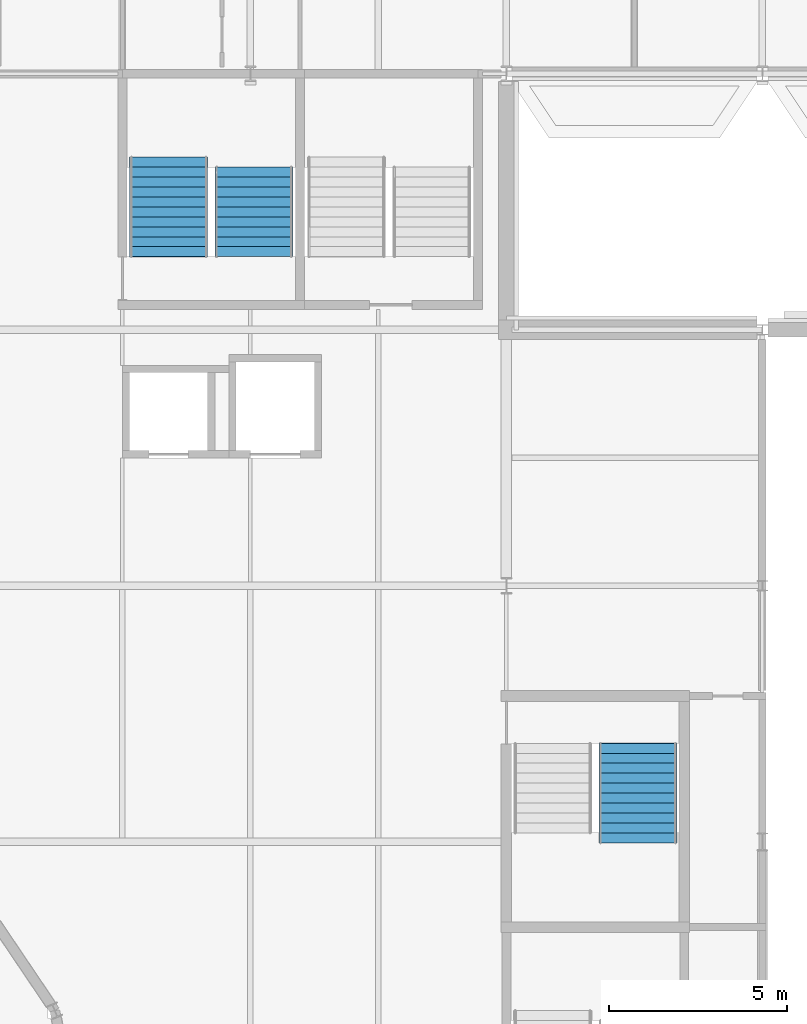
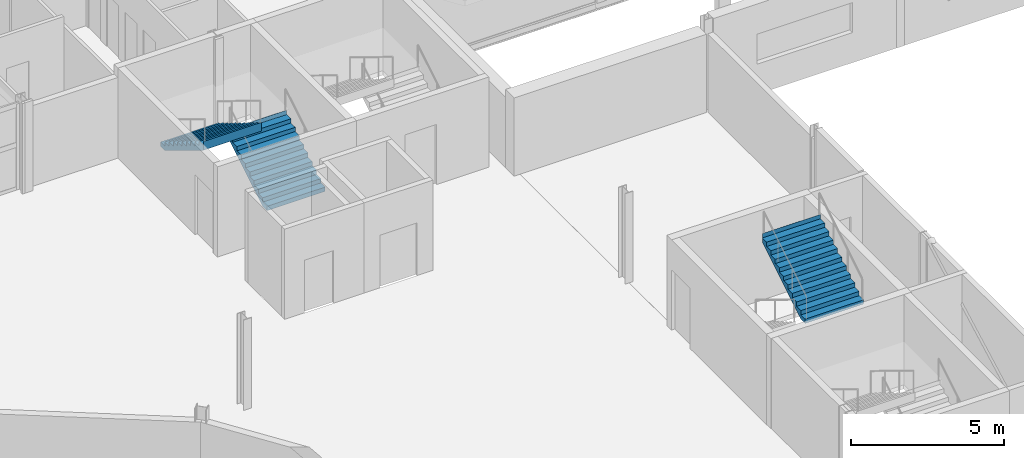
# One storey, part 97 of 143: 3 stair flights, 2 elements without a shape of their own.
"""IFC4 building model written with IfcOpenShell, lengths in metres."""

from ifc_helpers import new_model, si_unit, direction, frame, origin, place, context, subcontext, project, spatial, polyline, outline, extrude, material, type_object, element, aggregate, save


model = new_model("IFC4")

# Units and contexts
model_context = context("Model", 3, precision=1e-05, world=origin(), true_north=direction((0.0, 1.0)))
body_context = subcontext(model_context, "Body", "Model", "MODEL_VIEW")
ifc_project = project(units=[si_unit("LENGTHUNIT", "METRE"), si_unit("AREAUNIT", "SQUARE_METRE"), si_unit("VOLUMEUNIT", "CUBIC_METRE"), si_unit("PLANEANGLEUNIT", "RADIAN"), si_unit("MASSUNIT", "GRAM", prefix="KILO")], contexts=[model_context])

# Site, building, storey
site_placement = place(None, origin())
site = spatial("IfcSite", under=ifc_project, at=site_placement, CompositionType="ELEMENT")
building_placement = place(site_placement, origin())
building = spatial("IfcBuilding", under=site, at=building_placement, Name="Kupolbacken Congress Centre", CompositionType="ELEMENT")
storey_placement = place(building_placement, frame((0.0, 0.0, 7.199951171875)))
storey = spatial("IfcBuildingStorey", under=building, at=storey_placement, Name="L02", CompositionType="ELEMENT", Elevation=7.199951171875)

# Stair, stair flights
ifc_material_1 = material(Name="Concrete C30/37", Category="concrete")
stair_type = type_object("IfcStairType", Name="ST13 stair 2200", PredefinedType="TWO_STRAIGHT_RUN_STAIR", material=ifc_material_1)
stair_1_placement = place(storey_placement, origin())
stair_1 = element("IfcStair", 1, at=stair_1_placement, inside=storey, type_object=stair_type, Name="C/stair/PS1NE/L02", PredefinedType="NOTDEFINED")
ifc_material_2 = material(Name="Concrete C30/37", Category="concrete")
stair_flight_type_1 = type_object("IfcStairFlightType", Name="FL13 stair flight 2200 x 10 risers", PredefinedType="STRAIGHT", material=ifc_material_2)
stair_flight_1_placement = place(storey_placement, frame((72.10009765625, 117.2548828125, 0.0), z_axis=(0.0, 0.0, 1.0), x_axis=(0.0, 1.0, 0.0)))
stair_flight_1 = element("IfcStairFlight", 2, at=stair_flight_1_placement, type_object=stair_flight_type_1, Name="PS1NE flight 1", NumberOfRisers=10, NumberOfTreads=9, PredefinedType="STRAIGHT", RiserHeight=0.171428571, TreadLength=0.28, context=body_context, shape_type="SweptSolid", body=[
    extrude(outline(polyline([(0.0, 0.0), (0.0, 0.0009765625), (0.0, 0.002197265625), (0.0, 0.003173828125), (0.0, 0.004150390625), (0.0, 0.00537109375), (0.0, 0.00634765625), (0.0, 0.007568359375), (0.0, 0.008544921875), (0.0, 0.009521484375), (0.0, 0.0107421875), (0.0, 0.01171875), (0.0, 0.0126953125), (0.0, 0.013916015625), (0.0, 0.014892578125), (0.0, 0.015869140625), (0.0, 0.01708984375), (0.0, 0.01806640625), (0.0, 0.019287109375), (0.0, 0.020263671875), (0.0, 0.021240234375), (0.0, 0.0224609375), (0.0, 0.0234375), (0.0, 0.0244140625), (0.0, 0.025634765625), (0.0, 0.026611328125), (0.0, 0.027587890625), (0.0, 0.02880859375), (0.0, 0.02978515625), (0.0, 0.03076171875), (0.0, 0.031982421875), (0.0, 0.032958984375), (0.0, 0.0341796875), (0.0, 0.03515625), (0.0, 0.0361328125), (0.0, 0.037353515625), (0.0, 0.038330078125), (0.0, 0.039306640625), (0.0, 0.04052734375), (0.0, 0.04150390625), (0.0, 0.04248046875), (0.0, 0.043701171875), (0.0, 0.044677734375), (0.0, 0.0458984375), (0.0, 0.046875), (0.0, 0.0478515625), (0.0, 0.049072265625), (0.0, 0.050048828125), (0.0, 0.051025390625), (0.0, 0.05224609375), (0.0, 0.05322265625), (0.0, 0.05419921875), (0.0, 0.055419921875), (0.0, 0.056396484375), (0.0, 0.0576171875), (0.0, 0.05859375), (0.0, 0.0595703125), (0.0, 0.060791015625), (0.0, 0.061767578125), (0.0, 0.062744140625), (0.0, 0.06396484375), (0.0, 0.06494140625), (0.0, 0.06591796875), (0.0, 0.067138671875), (0.0, 0.068115234375), (0.0, 0.069091796875), (0.0, 0.0703125), (0.0, 0.0712890625), (0.0, 0.072509765625), (0.0, 0.073486328125), (0.0, 0.074462890625), (0.0, 0.07568359375), (0.0, 0.07666015625), (0.0, 0.07763671875), (0.0, 0.078857421875), (0.0, 0.079833984375), (0.0, 0.080810546875), (0.0, 0.08203125), (0.0, 0.0830078125), (0.0, 0.084228515625), (0.0, 0.085205078125), (0.0, 0.086181640625), (0.0, 0.08740234375), (0.0, 0.08837890625), (0.0, 0.08935546875), (0.0, 0.090576171875), (0.0, 0.091552734375), (0.0, 0.092529296875), (0.0, 0.09375), (0.0, 0.0947265625), (0.0, 0.095947265625), (0.0, 0.096923828125), (0.0, 0.097900390625), (0.0, 0.09912109375), (0.0, 0.10009765625), (0.0, 0.10107421875), (0.0, 0.102294921875), (0.0, 0.103271484375), (0.0, 0.104248046875), (0.0, 0.10546875), (0.0, 0.1064453125), (0.0, 0.107421875), (0.0, 0.108642578125), (0.0, 0.109619140625), (0.0, 0.11083984375), (0.0, 0.11181640625), (0.0, 0.11279296875), (0.0, 0.114013671875), (0.0, 0.114990234375), (0.0, 0.115966796875), (0.0, 0.1171875), (0.0, 0.1181640625), (0.0, 0.119140625), (0.0, 0.120361328125), (0.0, 0.121337890625), (0.0, 0.12255859375), (0.0, 0.12353515625), (0.0, 0.12451171875), (0.0, 0.125732421875), (0.0, 0.126708984375), (0.0, 0.127685546875), (0.0, 0.12890625), (0.0, 0.1298828125), (0.0, 0.130859375), (0.0, 0.132080078125), (0.0, 0.133056640625), (0.0, 0.13427734375), (0.0, 0.13525390625), (0.0, 0.13623046875), (0.0, 0.137451171875), (0.0, 0.138427734375), (0.0, 0.139404296875), (0.0, 0.140625), (0.0, 0.1416015625), (0.0, 0.142578125), (0.0, 0.143798828125), (0.0, 0.144775390625), (0.0, 0.145751953125), (0.0, 0.14697265625), (0.0, 0.14794921875), (0.0, 0.149169921875), (0.0, 0.150146484375), (0.0, 0.151123046875), (0.0, 0.15234375), (0.0, 0.1533203125), (0.0, 0.154296875), (0.0, 0.155517578125), (0.0, 0.156494140625), (0.0, 0.157470703125), (0.0, 0.15869140625), (0.0, 0.15966796875), (0.0, 0.160888671875), (0.0, 0.161865234375), (0.0, 0.162841796875), (0.0, 0.1640625), (0.0, 0.1650390625), (0.0, 0.166015625), (0.0, 0.167236328125), (0.0, 0.168212890625), (0.0, 0.169189453125), (0.0, 0.17041015625), (0.0, 0.17138671875), (0.280029296875, 0.17138671875), (0.280029296875, 0.3427734375), (0.56005859375, 0.3427734375), (0.56005859375, 0.514404296875), (0.840087890625, 0.514404296875), (0.840087890625, 0.685791015625), (1.1201171875, 0.685791015625), (1.1201171875, 0.857177734375), (1.39990234375, 0.857177734375), (1.39990234375, 1.028564453125), (1.679931640625, 1.028564453125), (1.679931640625, 1.199951171875), (1.9599609375, 1.199951171875), (1.9599609375, 1.371337890625), (2.239990234375, 1.371337890625), (2.239990234375, 1.54296875), (2.52001953125, 1.54296875), (2.52001953125, 1.71435546875), (2.52197265625, 1.71435546875), (2.52197265625, 1.712158203125), (2.52197265625, 1.7099609375), (2.52197265625, 1.707763671875), (2.52197265625, 1.70556640625), (2.52197265625, 1.70361328125), (2.52197265625, 1.701416015625), (2.52197265625, 1.69921875), (2.52197265625, 1.697021484375), (2.52197265625, 1.69482421875), (2.52197265625, 1.692626953125), (2.52197265625, 1.690673828125), (2.52197265625, 1.6884765625), (2.52197265625, 1.686279296875), (2.52197265625, 1.68408203125), (2.52197265625, 1.681884765625), (2.52197265625, 1.6796875), (2.52197265625, 1.677734375), (2.52197265625, 1.675537109375), (2.52197265625, 1.67333984375), (2.52197265625, 1.671142578125), (2.52197265625, 1.6689453125), (2.52197265625, 1.666748046875), (2.52197265625, 1.664794921875), (2.52197265625, 1.66259765625), (2.52197265625, 1.660400390625), (2.52197265625, 1.658203125), (2.52197265625, 1.656005859375), (2.52197265625, 1.65380859375), (2.52197265625, 1.65185546875), (2.52197265625, 1.649658203125), (2.52197265625, 1.6474609375), (2.52197265625, 1.645263671875), (2.52197265625, 1.64306640625), (2.52197265625, 1.640869140625), (2.52197265625, 1.638916015625), (2.52197265625, 1.63671875), (2.52197265625, 1.634521484375), (2.52197265625, 1.63232421875), (2.52197265625, 1.630126953125), (2.52197265625, 1.6279296875), (2.52197265625, 1.6259765625), (2.52197265625, 1.623779296875), (2.52197265625, 1.62158203125), (2.52197265625, 1.619384765625), (2.52197265625, 1.6171875), (2.52197265625, 1.614990234375), (2.52197265625, 1.613037109375), (2.52197265625, 1.61083984375), (2.52197265625, 1.608642578125), (2.52197265625, 1.6064453125), (2.52197265625, 1.604248046875), (2.52197265625, 1.60205078125), (2.52197265625, 1.60009765625), (2.52197265625, 1.597900390625), (2.52197265625, 1.595703125), (2.52197265625, 1.593505859375), (2.52197265625, 1.59130859375), (2.52197265625, 1.589111328125), (2.52197265625, 1.587158203125), (2.52197265625, 1.5849609375), (2.52197265625, 1.582763671875), (2.52197265625, 1.58056640625), (2.52197265625, 1.578369140625), (2.52197265625, 1.576171875), (2.52197265625, 1.57421875), (2.52197265625, 1.572021484375), (2.52197265625, 1.56982421875), (2.52197265625, 1.567626953125), (2.52197265625, 1.5654296875), (2.52197265625, 1.563232421875), (2.52197265625, 1.561279296875), (2.52197265625, 1.55908203125), (2.52197265625, 1.556884765625), (2.52197265625, 1.5546875), (2.52197265625, 1.552490234375), (2.52197265625, 1.55029296875), (2.52197265625, 1.54833984375), (2.52197265625, 1.546142578125), (2.52197265625, 1.5439453125), (2.52197265625, 1.541748046875), (2.52197265625, 1.53955078125), (2.52197265625, 1.537353515625), (2.52197265625, 1.535400390625), (2.52197265625, 1.533203125), (2.52197265625, 1.531005859375), (2.52197265625, 1.52880859375), (2.52197265625, 1.526611328125), (2.52197265625, 1.5244140625), (2.52197265625, 1.5224609375), (2.52197265625, 1.520263671875), (2.52197265625, 1.51806640625), (2.52197265625, 1.515869140625), (2.52197265625, 1.513671875), (2.52197265625, 1.511474609375), (2.52197265625, 1.509521484375), (2.52197265625, 1.50732421875), (2.52197265625, 1.505126953125), (2.52197265625, 1.5029296875), (2.52197265625, 1.500732421875), (2.52197265625, 1.49853515625), (2.52197265625, 1.49658203125), (2.52197265625, 1.494384765625), (2.52197265625, 1.4921875), (2.52197265625, 1.489990234375), (2.52197265625, 1.48779296875), (2.52197265625, 1.485595703125), (2.52197265625, 1.483642578125), (2.52197265625, 1.4814453125), (2.52197265625, 1.479248046875), (2.52197265625, 1.47705078125), (2.52197265625, 1.474853515625), (2.52197265625, 1.47265625), (2.52197265625, 1.470703125), (2.52197265625, 1.468505859375), (2.52197265625, 1.46630859375), (2.52197265625, 1.464111328125), (2.52197265625, 1.4619140625), (2.52197265625, 1.459716796875), (2.52197265625, 1.457763671875), (2.52197265625, 1.45556640625), (2.52197265625, 1.453369140625), (2.52197265625, 1.451171875), (2.52197265625, 1.448974609375), (2.52197265625, 1.44677734375), (2.52197265625, 1.44482421875), (2.52197265625, 1.442626953125), (2.52197265625, 1.4404296875), (2.52197265625, 1.438232421875), (2.52197265625, 1.43603515625), (2.52197265625, 1.433837890625), (2.52197265625, 1.431884765625), (2.52197265625, 1.4296875), (2.52197265625, 1.427490234375), (2.52197265625, 1.42529296875), (2.52197265625, 1.423095703125), (2.52197265625, 1.4208984375), (2.52197265625, 1.4189453125), (2.52197265625, 1.416748046875), (2.52197265625, 1.41455078125), (2.52197265625, 1.412353515625), (2.52197265625, 1.41015625), (2.52197265625, 1.407958984375), (2.52197265625, 1.406005859375), (2.52197265625, 1.40380859375), (2.52197265625, 1.401611328125), (2.52197265625, 1.3994140625), (2.52197265625, 1.397216796875), (2.52197265625, 1.39501953125), (2.52197265625, 1.39306640625), (2.52197265625, 1.390869140625), (2.52197265625, 1.388671875), (2.52197265625, 1.386474609375), (2.52197265625, 1.38427734375), (2.52197265625, 1.382080078125), (2.52197265625, 1.380126953125), (2.52197265625, 1.3779296875), (2.52197265625, 1.375732421875), (2.52197265625, 1.37353515625), (2.52197265625, 1.371337890625), (2.52197265625, 1.369140625), (2.52197265625, 1.3671875), (0.2890625, 0.0), (0.0, 0.0)])), frame((0.0, 1.10009765625, 0.0), z_axis=(0.0, -1.0, 0.0), x_axis=(1.0, 0.0, 0.0)), (0.0, 0.0, 1.0), 2.199951171875),
])
ifc_material_3 = material(Name="Concrete C30/37", Category="concrete")
stair_flight_type_2 = type_object("IfcStairFlightType", Name="FL14 stair flight 2200 x 11 risers", PredefinedType="STRAIGHT", material=ifc_material_3)
stair_flight_2_placement = place(storey_placement, frame((69.699951171875, 120.054931640625, 1.71435546875), z_axis=(0.0, 0.0, 1.0), x_axis=(0.0, -1.0, 0.0)))
stair_flight_2 = element("IfcStairFlight", 3, at=stair_flight_2_placement, type_object=stair_flight_type_2, Name="PS1NE flight 2", NumberOfRisers=11, NumberOfTreads=10, PredefinedType="STRAIGHT", RiserHeight=0.171428571, TreadLength=0.28, context=body_context, shape_type="SweptSolid", body=[
    extrude(outline(polyline([(0.0, 0.0), (0.0, 0.0009765625), (0.0, 0.002197265625), (0.0, 0.003173828125), (0.0, 0.004150390625), (0.0, 0.00537109375), (0.0, 0.00634765625), (0.0, 0.007568359375), (0.0, 0.008544921875), (0.0, 0.009521484375), (0.0, 0.0107421875), (0.0, 0.01171875), (0.0, 0.0126953125), (0.0, 0.013916015625), (0.0, 0.014892578125), (0.0, 0.015869140625), (0.0, 0.01708984375), (0.0, 0.01806640625), (0.0, 0.019287109375), (0.0, 0.020263671875), (0.0, 0.021240234375), (0.0, 0.0224609375), (0.0, 0.0234375), (0.0, 0.0244140625), (0.0, 0.025634765625), (0.0, 0.026611328125), (0.0, 0.027587890625), (0.0, 0.02880859375), (0.0, 0.02978515625), (0.0, 0.03076171875), (0.0, 0.031982421875), (0.0, 0.032958984375), (0.0, 0.0341796875), (0.0, 0.03515625), (0.0, 0.0361328125), (0.0, 0.037353515625), (0.0, 0.038330078125), (0.0, 0.039306640625), (0.0, 0.04052734375), (0.0, 0.04150390625), (0.0, 0.04248046875), (0.0, 0.043701171875), (0.0, 0.044677734375), (0.0, 0.0458984375), (0.0, 0.046875), (0.0, 0.0478515625), (0.0, 0.049072265625), (0.0, 0.050048828125), (0.0, 0.051025390625), (0.0, 0.05224609375), (0.0, 0.05322265625), (0.0, 0.05419921875), (0.0, 0.055419921875), (0.0, 0.056396484375), (0.0, 0.0576171875), (0.0, 0.05859375), (0.0, 0.0595703125), (0.0, 0.060791015625), (0.0, 0.061767578125), (0.0, 0.062744140625), (0.0, 0.06396484375), (0.0, 0.06494140625), (0.0, 0.06591796875), (0.0, 0.067138671875), (0.0, 0.068115234375), (0.0, 0.069091796875), (0.0, 0.0703125), (0.0, 0.0712890625), (0.0, 0.072509765625), (0.0, 0.073486328125), (0.0, 0.074462890625), (0.0, 0.07568359375), (0.0, 0.07666015625), (0.0, 0.07763671875), (0.0, 0.078857421875), (0.0, 0.079833984375), (0.0, 0.080810546875), (0.0, 0.08203125), (0.0, 0.0830078125), (0.0, 0.084228515625), (0.0, 0.085205078125), (0.0, 0.086181640625), (0.0, 0.08740234375), (0.0, 0.08837890625), (0.0, 0.08935546875), (0.0, 0.090576171875), (0.0, 0.091552734375), (0.0, 0.092529296875), (0.0, 0.09375), (0.0, 0.0947265625), (0.0, 0.095947265625), (0.0, 0.096923828125), (0.0, 0.097900390625), (0.0, 0.09912109375), (0.0, 0.10009765625), (0.0, 0.10107421875), (0.0, 0.102294921875), (0.0, 0.103271484375), (0.0, 0.104248046875), (0.0, 0.10546875), (0.0, 0.1064453125), (0.0, 0.107421875), (0.0, 0.108642578125), (0.0, 0.109619140625), (0.0, 0.11083984375), (0.0, 0.11181640625), (0.0, 0.11279296875), (0.0, 0.114013671875), (0.0, 0.114990234375), (0.0, 0.115966796875), (0.0, 0.1171875), (0.0, 0.1181640625), (0.0, 0.119140625), (0.0, 0.120361328125), (0.0, 0.121337890625), (0.0, 0.12255859375), (0.0, 0.12353515625), (0.0, 0.12451171875), (0.0, 0.125732421875), (0.0, 0.126708984375), (0.0, 0.127685546875), (0.0, 0.12890625), (0.0, 0.1298828125), (0.0, 0.130859375), (0.0, 0.132080078125), (0.0, 0.133056640625), (0.0, 0.13427734375), (0.0, 0.13525390625), (0.0, 0.13623046875), (0.0, 0.137451171875), (0.0, 0.138427734375), (0.0, 0.139404296875), (0.0, 0.140625), (0.0, 0.1416015625), (0.0, 0.142578125), (0.0, 0.143798828125), (0.0, 0.144775390625), (0.0, 0.145751953125), (0.0, 0.14697265625), (0.0, 0.14794921875), (0.0, 0.149169921875), (0.0, 0.150146484375), (0.0, 0.151123046875), (0.0, 0.15234375), (0.0, 0.1533203125), (0.0, 0.154296875), (0.0, 0.155517578125), (0.0, 0.156494140625), (0.0, 0.157470703125), (0.0, 0.15869140625), (0.0, 0.15966796875), (0.0, 0.160888671875), (0.0, 0.161865234375), (0.0, 0.162841796875), (0.0, 0.1640625), (0.0, 0.1650390625), (0.0, 0.166015625), (0.0, 0.167236328125), (0.0, 0.168212890625), (0.0, 0.169189453125), (0.0, 0.17041015625), (0.0, 0.17138671875), (0.280029296875, 0.17138671875), (0.280029296875, 0.3427734375), (0.56005859375, 0.3427734375), (0.56005859375, 0.514404296875), (0.840087890625, 0.514404296875), (0.840087890625, 0.685791015625), (1.1201171875, 0.685791015625), (1.1201171875, 0.857177734375), (1.39990234375, 0.857177734375), (1.39990234375, 1.028564453125), (1.679931640625, 1.028564453125), (1.679931640625, 1.199951171875), (1.9599609375, 1.199951171875), (1.9599609375, 1.371337890625), (2.239990234375, 1.371337890625), (2.239990234375, 1.54296875), (2.52001953125, 1.54296875), (2.52001953125, 1.71435546875), (2.800048828125, 1.71435546875), (2.800048828125, 1.8857421875), (2.802001953125, 1.8857421875), (2.802001953125, 1.883544921875), (2.802001953125, 1.88134765625), (2.802001953125, 1.879150390625), (2.802001953125, 1.877197265625), (2.802001953125, 1.875), (2.802001953125, 1.872802734375), (2.802001953125, 1.87060546875), (2.802001953125, 1.868408203125), (2.802001953125, 1.8662109375), (2.802001953125, 1.8642578125), (2.802001953125, 1.862060546875), (2.802001953125, 1.85986328125), (2.802001953125, 1.857666015625), (2.802001953125, 1.85546875), (2.802001953125, 1.853271484375), (2.802001953125, 1.851318359375), (2.802001953125, 1.84912109375), (2.802001953125, 1.846923828125), (2.802001953125, 1.8447265625), (2.802001953125, 1.842529296875), (2.802001953125, 1.84033203125), (2.802001953125, 1.83837890625), (2.802001953125, 1.836181640625), (2.802001953125, 1.833984375), (2.802001953125, 1.831787109375), (2.802001953125, 1.82958984375), (2.802001953125, 1.827392578125), (2.802001953125, 1.825439453125), (2.802001953125, 1.8232421875), (2.802001953125, 1.821044921875), (2.802001953125, 1.81884765625), (2.802001953125, 1.816650390625), (2.802001953125, 1.814453125), (2.802001953125, 1.8125), (2.802001953125, 1.810302734375), (2.802001953125, 1.80810546875), (2.802001953125, 1.805908203125), (2.802001953125, 1.8037109375), (2.802001953125, 1.801513671875), (2.802001953125, 1.799560546875), (2.802001953125, 1.79736328125), (2.802001953125, 1.795166015625), (2.802001953125, 1.79296875), (2.802001953125, 1.790771484375), (2.802001953125, 1.78857421875), (2.802001953125, 1.78662109375), (2.802001953125, 1.784423828125), (2.802001953125, 1.7822265625), (2.802001953125, 1.780029296875), (2.802001953125, 1.77783203125), (2.802001953125, 1.775634765625), (2.802001953125, 1.773681640625), (2.802001953125, 1.771484375), (2.802001953125, 1.769287109375), (2.802001953125, 1.76708984375), (2.802001953125, 1.764892578125), (2.802001953125, 1.7626953125), (2.802001953125, 1.7607421875), (2.802001953125, 1.758544921875), (2.802001953125, 1.75634765625), (2.802001953125, 1.754150390625), (2.802001953125, 1.751953125), (2.802001953125, 1.749755859375), (2.802001953125, 1.747802734375), (2.802001953125, 1.74560546875), (2.802001953125, 1.743408203125), (2.802001953125, 1.7412109375), (2.802001953125, 1.739013671875), (2.802001953125, 1.73681640625), (2.802001953125, 1.73486328125), (2.802001953125, 1.732666015625), (2.802001953125, 1.73046875), (2.802001953125, 1.728271484375), (2.802001953125, 1.72607421875), (2.802001953125, 1.723876953125), (2.802001953125, 1.721923828125), (2.802001953125, 1.7197265625), (2.802001953125, 1.717529296875), (2.802001953125, 1.71533203125), (2.802001953125, 1.713134765625), (2.802001953125, 1.7109375), (2.802001953125, 1.708984375), (2.802001953125, 1.706787109375), (2.802001953125, 1.70458984375), (2.802001953125, 1.702392578125), (2.802001953125, 1.7001953125), (2.802001953125, 1.697998046875), (2.802001953125, 1.696044921875), (2.802001953125, 1.69384765625), (2.802001953125, 1.691650390625), (2.802001953125, 1.689453125), (2.802001953125, 1.687255859375), (2.802001953125, 1.68505859375), (2.802001953125, 1.68310546875), (2.802001953125, 1.680908203125), (2.802001953125, 1.6787109375), (2.802001953125, 1.676513671875), (2.802001953125, 1.67431640625), (2.802001953125, 1.672119140625), (2.802001953125, 1.670166015625), (2.802001953125, 1.66796875), (2.802001953125, 1.665771484375), (2.802001953125, 1.66357421875), (2.802001953125, 1.661376953125), (2.802001953125, 1.6591796875), (2.802001953125, 1.6572265625), (2.802001953125, 1.655029296875), (2.802001953125, 1.65283203125), (2.802001953125, 1.650634765625), (2.802001953125, 1.6484375), (2.802001953125, 1.646240234375), (2.802001953125, 1.644287109375), (2.802001953125, 1.64208984375), (2.802001953125, 1.639892578125), (2.802001953125, 1.6376953125), (2.802001953125, 1.635498046875), (2.802001953125, 1.63330078125), (2.802001953125, 1.63134765625), (2.802001953125, 1.629150390625), (2.802001953125, 1.626953125), (2.802001953125, 1.624755859375), (2.802001953125, 1.62255859375), (2.802001953125, 1.620361328125), (2.802001953125, 1.618408203125), (2.802001953125, 1.6162109375), (2.802001953125, 1.614013671875), (2.802001953125, 1.61181640625), (2.802001953125, 1.609619140625), (2.802001953125, 1.607421875), (2.802001953125, 1.60546875), (2.802001953125, 1.603271484375), (2.802001953125, 1.60107421875), (2.802001953125, 1.598876953125), (2.802001953125, 1.5966796875), (2.802001953125, 1.594482421875), (2.802001953125, 1.592529296875), (2.802001953125, 1.59033203125), (2.802001953125, 1.588134765625), (2.802001953125, 1.5859375), (2.802001953125, 1.583740234375), (2.802001953125, 1.58154296875), (2.802001953125, 1.57958984375), (2.802001953125, 1.577392578125), (2.802001953125, 1.5751953125), (2.802001953125, 1.572998046875), (2.802001953125, 1.57080078125), (2.802001953125, 1.568603515625), (2.802001953125, 1.566650390625), (2.802001953125, 1.564453125), (2.802001953125, 1.562255859375), (2.802001953125, 1.56005859375), (2.802001953125, 1.557861328125), (2.802001953125, 1.5556640625), (2.802001953125, 1.5537109375), (2.802001953125, 1.551513671875), (2.802001953125, 1.54931640625), (2.802001953125, 1.547119140625), (2.802001953125, 1.544921875), (2.802001953125, 1.542724609375), (2.802001953125, 1.540771484375), (2.802001953125, 1.53857421875), (0.2890625, 0.0), (0.0, 0.0)])), frame((0.0, 1.10009765625, 0.0), z_axis=(0.0, -1.0, 0.0), x_axis=(1.0, 0.0, 0.0)), (0.0, 0.0, 1.0), 2.199951171875),
])
aggregate(stair_1, [stair_flight_1, stair_flight_2])

# Stair, stair flight
stair_2_placement = place(storey_placement, origin())
stair_2 = element("IfcStair", 4, at=stair_2_placement, inside=storey, type_object=stair_type, Name="C/stair/LS2/L02", PredefinedType="NOTDEFINED")
stair_flight_3_placement = place(storey_placement, frame((82.89990234375, 100.77001953125, 1.71435546875), z_axis=(0.0, 0.0, 1.0), x_axis=(0.0, 1.0, 0.0)))
stair_flight_3 = element("IfcStairFlight", 5, at=stair_flight_3_placement, type_object=stair_flight_type_2, Name="LS2 flight 2", NumberOfRisers=11, NumberOfTreads=10, PredefinedType="STRAIGHT", RiserHeight=0.171428571, TreadLength=0.28, context=body_context, shape_type="SweptSolid", body=[
    extrude(outline(polyline([(0.0, 0.0), (0.0, 0.0009765625), (0.0, 0.002197265625), (0.0, 0.003173828125), (0.0, 0.004150390625), (0.0, 0.00537109375), (0.0, 0.00634765625), (0.0, 0.007568359375), (0.0, 0.008544921875), (0.0, 0.009521484375), (0.0, 0.0107421875), (0.0, 0.01171875), (0.0, 0.0126953125), (0.0, 0.013916015625), (0.0, 0.014892578125), (0.0, 0.015869140625), (0.0, 0.01708984375), (0.0, 0.01806640625), (0.0, 0.019287109375), (0.0, 0.020263671875), (0.0, 0.021240234375), (0.0, 0.0224609375), (0.0, 0.0234375), (0.0, 0.0244140625), (0.0, 0.025634765625), (0.0, 0.026611328125), (0.0, 0.027587890625), (0.0, 0.02880859375), (0.0, 0.02978515625), (0.0, 0.03076171875), (0.0, 0.031982421875), (0.0, 0.032958984375), (0.0, 0.0341796875), (0.0, 0.03515625), (0.0, 0.0361328125), (0.0, 0.037353515625), (0.0, 0.038330078125), (0.0, 0.039306640625), (0.0, 0.04052734375), (0.0, 0.04150390625), (0.0, 0.04248046875), (0.0, 0.043701171875), (0.0, 0.044677734375), (0.0, 0.0458984375), (0.0, 0.046875), (0.0, 0.0478515625), (0.0, 0.049072265625), (0.0, 0.050048828125), (0.0, 0.051025390625), (0.0, 0.05224609375), (0.0, 0.05322265625), (0.0, 0.05419921875), (0.0, 0.055419921875), (0.0, 0.056396484375), (0.0, 0.0576171875), (0.0, 0.05859375), (0.0, 0.0595703125), (0.0, 0.060791015625), (0.0, 0.061767578125), (0.0, 0.062744140625), (0.0, 0.06396484375), (0.0, 0.06494140625), (0.0, 0.06591796875), (0.0, 0.067138671875), (0.0, 0.068115234375), (0.0, 0.069091796875), (0.0, 0.0703125), (0.0, 0.0712890625), (0.0, 0.072509765625), (0.0, 0.073486328125), (0.0, 0.074462890625), (0.0, 0.07568359375), (0.0, 0.07666015625), (0.0, 0.07763671875), (0.0, 0.078857421875), (0.0, 0.079833984375), (0.0, 0.080810546875), (0.0, 0.08203125), (0.0, 0.0830078125), (0.0, 0.084228515625), (0.0, 0.085205078125), (0.0, 0.086181640625), (0.0, 0.08740234375), (0.0, 0.08837890625), (0.0, 0.08935546875), (0.0, 0.090576171875), (0.0, 0.091552734375), (0.0, 0.092529296875), (0.0, 0.09375), (0.0, 0.0947265625), (0.0, 0.095947265625), (0.0, 0.096923828125), (0.0, 0.097900390625), (0.0, 0.09912109375), (0.0, 0.10009765625), (0.0, 0.10107421875), (0.0, 0.102294921875), (0.0, 0.103271484375), (0.0, 0.104248046875), (0.0, 0.10546875), (0.0, 0.1064453125), (0.0, 0.107421875), (0.0, 0.108642578125), (0.0, 0.109619140625), (0.0, 0.11083984375), (0.0, 0.11181640625), (0.0, 0.11279296875), (0.0, 0.114013671875), (0.0, 0.114990234375), (0.0, 0.115966796875), (0.0, 0.1171875), (0.0, 0.1181640625), (0.0, 0.119140625), (0.0, 0.120361328125), (0.0, 0.121337890625), (0.0, 0.12255859375), (0.0, 0.12353515625), (0.0, 0.12451171875), (0.0, 0.125732421875), (0.0, 0.126708984375), (0.0, 0.127685546875), (0.0, 0.12890625), (0.0, 0.1298828125), (0.0, 0.130859375), (0.0, 0.132080078125), (0.0, 0.133056640625), (0.0, 0.13427734375), (0.0, 0.13525390625), (0.0, 0.13623046875), (0.0, 0.137451171875), (0.0, 0.138427734375), (0.0, 0.139404296875), (0.0, 0.140625), (0.0, 0.1416015625), (0.0, 0.142578125), (0.0, 0.143798828125), (0.0, 0.144775390625), (0.0, 0.145751953125), (0.0, 0.14697265625), (0.0, 0.14794921875), (0.0, 0.149169921875), (0.0, 0.150146484375), (0.0, 0.151123046875), (0.0, 0.15234375), (0.0, 0.1533203125), (0.0, 0.154296875), (0.0, 0.155517578125), (0.0, 0.156494140625), (0.0, 0.157470703125), (0.0, 0.15869140625), (0.0, 0.15966796875), (0.0, 0.160888671875), (0.0, 0.161865234375), (0.0, 0.162841796875), (0.0, 0.1640625), (0.0, 0.1650390625), (0.0, 0.166015625), (0.0, 0.167236328125), (0.0, 0.168212890625), (0.0, 0.169189453125), (0.0, 0.17041015625), (0.0, 0.17138671875), (0.280029296875, 0.17138671875), (0.280029296875, 0.3427734375), (0.56005859375, 0.3427734375), (0.56005859375, 0.514404296875), (0.840087890625, 0.514404296875), (0.840087890625, 0.685791015625), (1.1201171875, 0.685791015625), (1.1201171875, 0.857177734375), (1.39990234375, 0.857177734375), (1.39990234375, 1.028564453125), (1.679931640625, 1.028564453125), (1.679931640625, 1.199951171875), (1.9599609375, 1.199951171875), (1.9599609375, 1.371337890625), (2.239990234375, 1.371337890625), (2.239990234375, 1.54296875), (2.52001953125, 1.54296875), (2.52001953125, 1.71435546875), (2.800048828125, 1.71435546875), (2.800048828125, 1.8857421875), (2.802001953125, 1.8857421875), (2.802001953125, 1.883544921875), (2.802001953125, 1.88134765625), (2.802001953125, 1.879150390625), (2.802001953125, 1.877197265625), (2.802001953125, 1.875), (2.802001953125, 1.872802734375), (2.802001953125, 1.87060546875), (2.802001953125, 1.868408203125), (2.802001953125, 1.8662109375), (2.802001953125, 1.8642578125), (2.802001953125, 1.862060546875), (2.802001953125, 1.85986328125), (2.802001953125, 1.857666015625), (2.802001953125, 1.85546875), (2.802001953125, 1.853271484375), (2.802001953125, 1.851318359375), (2.802001953125, 1.84912109375), (2.802001953125, 1.846923828125), (2.802001953125, 1.8447265625), (2.802001953125, 1.842529296875), (2.802001953125, 1.84033203125), (2.802001953125, 1.83837890625), (2.802001953125, 1.836181640625), (2.802001953125, 1.833984375), (2.802001953125, 1.831787109375), (2.802001953125, 1.82958984375), (2.802001953125, 1.827392578125), (2.802001953125, 1.825439453125), (2.802001953125, 1.8232421875), (2.802001953125, 1.821044921875), (2.802001953125, 1.81884765625), (2.802001953125, 1.816650390625), (2.802001953125, 1.814453125), (2.802001953125, 1.8125), (2.802001953125, 1.810302734375), (2.802001953125, 1.80810546875), (2.802001953125, 1.805908203125), (2.802001953125, 1.8037109375), (2.802001953125, 1.801513671875), (2.802001953125, 1.799560546875), (2.802001953125, 1.79736328125), (2.802001953125, 1.795166015625), (2.802001953125, 1.79296875), (2.802001953125, 1.790771484375), (2.802001953125, 1.78857421875), (2.802001953125, 1.78662109375), (2.802001953125, 1.784423828125), (2.802001953125, 1.7822265625), (2.802001953125, 1.780029296875), (2.802001953125, 1.77783203125), (2.802001953125, 1.775634765625), (2.802001953125, 1.773681640625), (2.802001953125, 1.771484375), (2.802001953125, 1.769287109375), (2.802001953125, 1.76708984375), (2.802001953125, 1.764892578125), (2.802001953125, 1.7626953125), (2.802001953125, 1.7607421875), (2.802001953125, 1.758544921875), (2.802001953125, 1.75634765625), (2.802001953125, 1.754150390625), (2.802001953125, 1.751953125), (2.802001953125, 1.749755859375), (2.802001953125, 1.747802734375), (2.802001953125, 1.74560546875), (2.802001953125, 1.743408203125), (2.802001953125, 1.7412109375), (2.802001953125, 1.739013671875), (2.802001953125, 1.73681640625), (2.802001953125, 1.73486328125), (2.802001953125, 1.732666015625), (2.802001953125, 1.73046875), (2.802001953125, 1.728271484375), (2.802001953125, 1.72607421875), (2.802001953125, 1.723876953125), (2.802001953125, 1.721923828125), (2.802001953125, 1.7197265625), (2.802001953125, 1.717529296875), (2.802001953125, 1.71533203125), (2.802001953125, 1.713134765625), (2.802001953125, 1.7109375), (2.802001953125, 1.708984375), (2.802001953125, 1.706787109375), (2.802001953125, 1.70458984375), (2.802001953125, 1.702392578125), (2.802001953125, 1.7001953125), (2.802001953125, 1.697998046875), (2.802001953125, 1.696044921875), (2.802001953125, 1.69384765625), (2.802001953125, 1.691650390625), (2.802001953125, 1.689453125), (2.802001953125, 1.687255859375), (2.802001953125, 1.68505859375), (2.802001953125, 1.68310546875), (2.802001953125, 1.680908203125), (2.802001953125, 1.6787109375), (2.802001953125, 1.676513671875), (2.802001953125, 1.67431640625), (2.802001953125, 1.672119140625), (2.802001953125, 1.670166015625), (2.802001953125, 1.66796875), (2.802001953125, 1.665771484375), (2.802001953125, 1.66357421875), (2.802001953125, 1.661376953125), (2.802001953125, 1.6591796875), (2.802001953125, 1.6572265625), (2.802001953125, 1.655029296875), (2.802001953125, 1.65283203125), (2.802001953125, 1.650634765625), (2.802001953125, 1.6484375), (2.802001953125, 1.646240234375), (2.802001953125, 1.644287109375), (2.802001953125, 1.64208984375), (2.802001953125, 1.639892578125), (2.802001953125, 1.6376953125), (2.802001953125, 1.635498046875), (2.802001953125, 1.63330078125), (2.802001953125, 1.63134765625), (2.802001953125, 1.629150390625), (2.802001953125, 1.626953125), (2.802001953125, 1.624755859375), (2.802001953125, 1.62255859375), (2.802001953125, 1.620361328125), (2.802001953125, 1.618408203125), (2.802001953125, 1.6162109375), (2.802001953125, 1.614013671875), (2.802001953125, 1.61181640625), (2.802001953125, 1.609619140625), (2.802001953125, 1.607421875), (2.802001953125, 1.60546875), (2.802001953125, 1.603271484375), (2.802001953125, 1.60107421875), (2.802001953125, 1.598876953125), (2.802001953125, 1.5966796875), (2.802001953125, 1.594482421875), (2.802001953125, 1.592529296875), (2.802001953125, 1.59033203125), (2.802001953125, 1.588134765625), (2.802001953125, 1.5859375), (2.802001953125, 1.583740234375), (2.802001953125, 1.58154296875), (2.802001953125, 1.57958984375), (2.802001953125, 1.577392578125), (2.802001953125, 1.5751953125), (2.802001953125, 1.572998046875), (2.802001953125, 1.57080078125), (2.802001953125, 1.568603515625), (2.802001953125, 1.566650390625), (2.802001953125, 1.564453125), (2.802001953125, 1.562255859375), (2.802001953125, 1.56005859375), (2.802001953125, 1.557861328125), (2.802001953125, 1.5556640625), (2.802001953125, 1.5537109375), (2.802001953125, 1.551513671875), (2.802001953125, 1.54931640625), (2.802001953125, 1.547119140625), (2.802001953125, 1.544921875), (2.802001953125, 1.542724609375), (2.802001953125, 1.540771484375), (2.802001953125, 1.53857421875), (0.2890625, 0.0), (0.0, 0.0)])), frame((0.0, 1.10009765625, 0.0), z_axis=(0.0, -1.0, 0.0), x_axis=(1.0, 0.0, 0.0)), (0.0, 0.0, 1.0), 2.199951171875),
])
aggregate(stair_2, [stair_flight_3])

save(model, "model.ifc")
